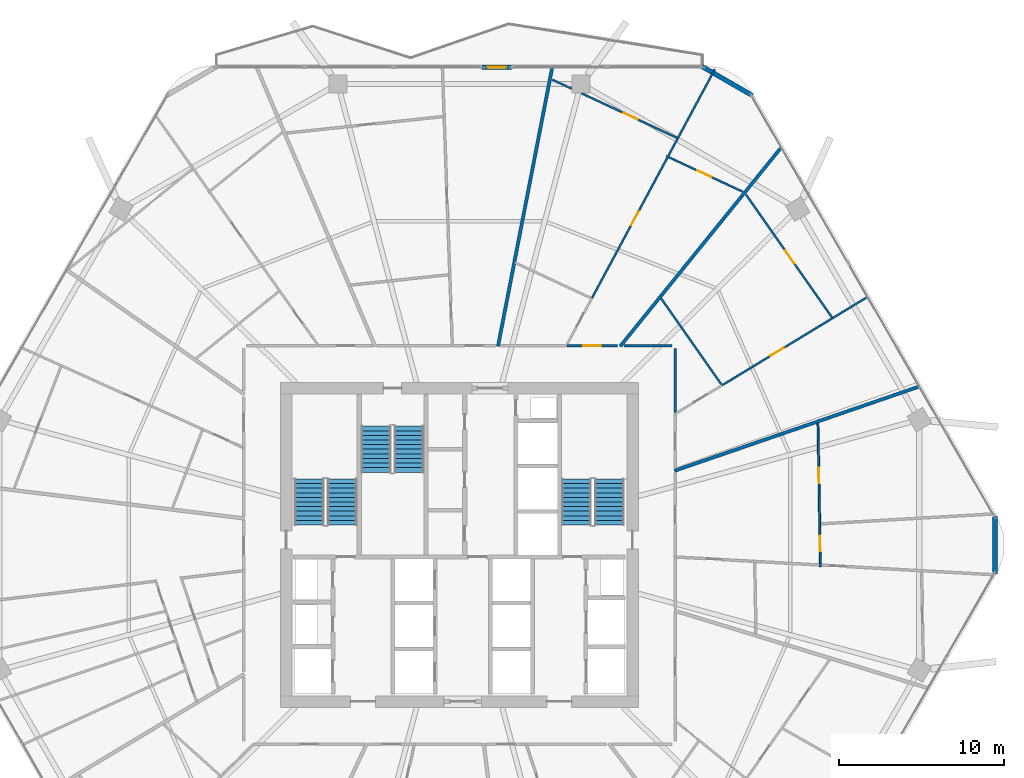
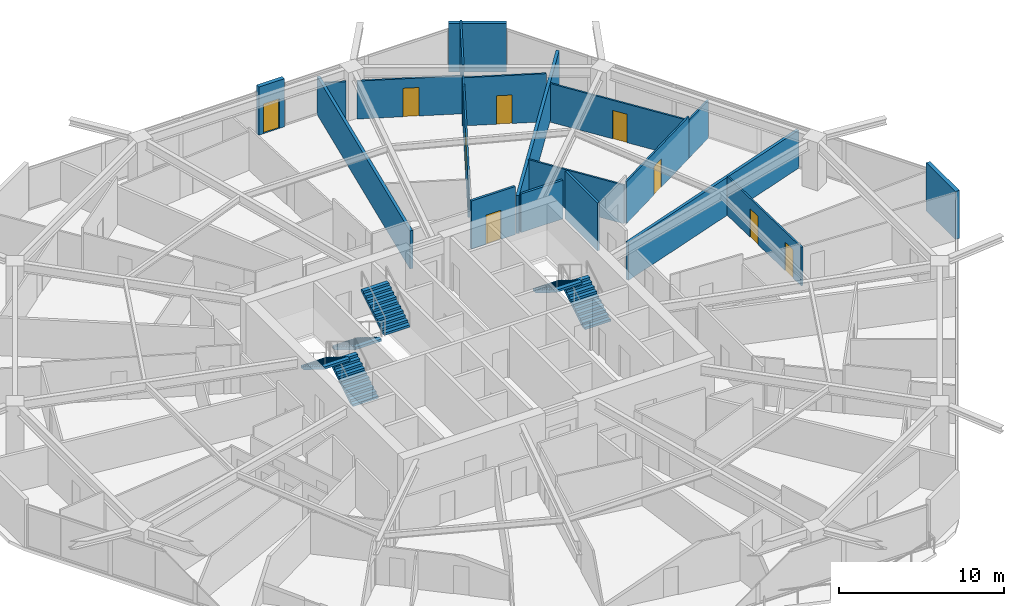
# One storey, part 29 of 33: 20 walls, 9 doors, 6 stair flights, 9 openings, 3 elements without a shape of their own.
"""IFC4 building model written with IfcOpenShell, lengths in metres."""

from ifc_helpers import new_model, si_unit, direction, frame, frame_2d, origin, place, context, subcontext, project, spatial, polyline, rectangle, outline, extrude, material, layer, layer_set, type_object, element, fill, aggregate, save


model = new_model("IFC4")

# Units and contexts
model_context = context("Model", 3, precision=1e-05, world=origin(), true_north=direction((0.0, 1.0)))
body_context = subcontext(model_context, "Body", "Model", "MODEL_VIEW")
ifc_project = project(units=[si_unit("LENGTHUNIT", "METRE"), si_unit("AREAUNIT", "SQUARE_METRE"), si_unit("VOLUMEUNIT", "CUBIC_METRE"), si_unit("PLANEANGLEUNIT", "RADIAN"), si_unit("MASSUNIT", "GRAM", prefix="KILO")], contexts=[model_context])

# Site, building, storey
site_placement = place(None, origin())
site = spatial("IfcSite", under=ifc_project, at=site_placement, CompositionType="ELEMENT")
building_placement = place(site_placement, origin())
building = spatial("IfcBuilding", under=site, at=building_placement, Name="Zuhravey Tower", CompositionType="ELEMENT")
storey_placement = place(building_placement, frame((0.0, 0.0, 103.800048828125)))
storey = spatial("IfcBuildingStorey", under=building, at=storey_placement, Name="L25", CompositionType="ELEMENT", Elevation=103.800048828125)

# Wall, opening, door
ifc_material_1 = material(Name="Gypsum fire-rated stud partition")
ifc_layer_1 = layer(ifc_material_1, 0.159912109375)
ifc_layer_set_1 = layer_set([ifc_layer_1], Name="Gypsum fire-rated stud partition")
wall_type_1 = type_object("IfcWallType", Name="Corridor Fire Partition 160", PredefinedType="PARTITIONING", material=ifc_layer_set_1)
wall_1_placement = place(storey_placement, frame((45.583251953125, 44.080078125, 0.0), z_axis=(0.0, 0.0, 1.0), x_axis=(-1.0, 0.0, 0.0)))
wall_1 = element("IfcWall", 1, at=wall_1_placement, inside=storey, type_object=wall_type_1, Name="L25 IW16 Partition 028", PredefinedType="PARTITIONING", context=body_context, shape_type="SweptSolid", body=[
    extrude(rectangle(XDim=3.072509765625, YDim=0.159912109375, at=frame_2d((1.5361328125, 0.0))), origin(), (0.0, 0.0, 1.0), 3.550048828125),
])
opening_1_placement = place(wall_1_placement, frame((1.01123046875, 0.0, 0.0)))
opening_1 = element("IfcOpeningElement", 2, at=opening_1_placement, cuts=wall_1, Name="Opening APD1", PredefinedType="OPENING", context=body_context, shape_type="SweptSolid", body=[
    extrude(rectangle(XDim=1.050048828125, YDim=2.14990234375, at=frame_2d((0.52490234375, 1.074951171875))), frame((0.0, 0.092041015625, 0.0), z_axis=(0.0, -1.0, 0.0), x_axis=(1.0, 0.0, 0.0)), (0.0, 0.0, 1.0), 0.183837890625),
])
ifc_material_2 = material(Name="Solid-core oak fire-rated leaf")
door_type_1 = type_object("IfcDoorType", Name="Apartment Entrance Fire Door 1050x2150", OperationType="NOTDEFINED", PredefinedType="DOOR", material=ifc_material_2)
door_1_placement = place(opening_1_placement, frame((1.050048828125, 0.0, 0.0), z_axis=(0.0, 0.0, 1.0), x_axis=(-1.0, 0.0, 0.0)))
door_1 = element("IfcDoor", 3, at=door_1_placement, inside=storey, type_object=door_type_1, Name="L25 Door 028.1", OperationType="SINGLE_SWING_LEFT", OverallHeight=2.14990234375, OverallWidth=1.050048828125, PredefinedType="DOOR", context=body_context, shape_type="SweptSolid", body=[
    extrude(rectangle(XDim=1.050048828125, YDim=2.14990234375, at=frame_2d((0.52490234375, 1.074951171875))), frame((0.0, 0.02490234375, 0.0), z_axis=(0.0, -1.0, 0.0), x_axis=(1.0, 0.0, 0.0)), (0.0, 0.0, 1.0), 0.050048828125),
])
fill(opening_1, door_1)

# Walls
wall_2_placement = place(storey_placement, frame((49.080078125, 40.026123046875, 0.0), z_axis=(0.0, 0.0, 1.0), x_axis=(0.0, 1.0, 0.0)))
element("IfcWall", 4, at=wall_2_placement, inside=storey, type_object=wall_type_1, Name="L25 IW16 Partition 137", PredefinedType="PARTITIONING", context=body_context, shape_type="SweptSolid", body=[
    extrude(rectangle(XDim=3.873779296875, YDim=0.159912109375, at=frame_2d((1.93701171875, 0.0))), origin(), (0.0, 0.0, 1.0), 3.550048828125),
])
wall_3_placement = place(storey_placement, frame((48.89990234375, 44.080078125, 0.0), z_axis=(0.0, 0.0, 1.0), x_axis=(-1.0, 0.0, 0.0)))
element("IfcWall", 5, at=wall_3_placement, inside=storey, type_object=wall_type_1, Name="L25 IW16 Partition 138", PredefinedType="PARTITIONING", context=body_context, shape_type="SweptSolid", body=[
    extrude(rectangle(XDim=2.916015625, YDim=0.159912109375, at=frame_2d((1.4580078125, 0.0))), origin(), (0.0, 0.0, 1.0), 2.849853515625),
])

# Wall, opening, door
ifc_material_3 = material(Name="Precast concrete C40/50", Category="concrete")
ifc_layer_2 = layer(ifc_material_3, 0.280029296875)
ifc_layer_set_2 = layer_set([ifc_layer_2], Name="Precast concrete C40/50")
wall_type_2 = type_object("IfcWallType", Name="Crown Architectural Wall 280", PredefinedType="SOLIDWALL", material=ifc_layer_set_2)
wall_4_placement = place(storey_placement, frame((37.381103515625, 60.95849609375, 0.0), z_axis=(0.0, 0.0, 1.0), x_axis=(1.0, 0.0, 0.0)))
wall_4 = element("IfcWall", 6, at=wall_4_placement, inside=storey, type_object=wall_type_2, Name="L25 Face 2 Facade Pier EW28-1", PredefinedType="SOLIDWALL", context=body_context, shape_type="SweptSolid", body=[
    extrude(rectangle(XDim=1.789794921875, YDim=0.280029296875, at=frame_2d((0.89501953125, 0.0))), origin(), (0.0, 0.0, 1.0), 3.550048828125),
])
opening_2_placement = place(wall_4_placement, frame((0.344970703125, 0.0, 0.0)))
opening_2 = element("IfcOpeningElement", 7, at=opening_2_placement, cuts=wall_4, Name="Opening BLD1", PredefinedType="OPENING", context=body_context, shape_type="SweptSolid", body=[
    extrude(rectangle(XDim=1.10009765625, YDim=2.199951171875, at=frame_2d((0.550048828125, 1.10009765625))), frame((0.0, 0.152099609375, 0.0), z_axis=(0.0, -1.0, 0.0), x_axis=(1.0, 0.0, 0.0)), (0.0, 0.0, 1.0), 0.303955078125),
])
ifc_material_4 = material(Name="Thermally broken aluminium and low-E glass", Category="aluminium")
door_type_2 = type_object("IfcDoorType", Name="Balcony & Sky-Tray Glazed Door 1100x2200", OperationType="NOTDEFINED", PredefinedType="DOOR", material=ifc_material_4)
door_2_placement = place(opening_2_placement, frame((1.10009765625, 0.0, 0.0), z_axis=(0.0, 0.0, 1.0), x_axis=(-1.0, 0.0, 0.0)))
door_2 = element("IfcDoor", 8, at=door_2_placement, inside=storey, type_object=door_type_2, Name="L25 Face 2 Wave Balcony Door", OperationType="SINGLE_SWING_RIGHT", OverallHeight=2.199951171875, OverallWidth=1.10009765625, PredefinedType="DOOR", context=body_context, shape_type="SweptSolid", body=[
    extrude(rectangle(XDim=1.10009765625, YDim=2.199951171875, at=frame_2d((0.550048828125, 1.10009765625))), frame((0.0, 0.02490234375, 0.0), z_axis=(0.0, -1.0, 0.0), x_axis=(1.0, 0.0, 0.0)), (0.0, 0.0, 1.0), 0.050048828125),
])
fill(opening_2, door_2)

# Walls
wall_5_placement = place(storey_placement, frame((50.71728515625, 61.006103515625, 0.0), z_axis=(0.0, 0.0, 1.0), x_axis=(0.866007452331, -0.500031091541, 0.0)))
element("IfcWall", 9, at=wall_5_placement, inside=storey, type_object=wall_type_2, Name="L25 Rounded Corner Closure Wall EW28-10", PredefinedType="SOLIDWALL", context=body_context, shape_type="SweptSolid", body=[
    extrude(rectangle(XDim=3.514892578125, YDim=0.280029296875, at=frame_2d((1.75732421875, 0.0))), origin(), (0.0, 0.0, 1.0), 3.550048828125),
])
wall_6_placement = place(storey_placement, frame((68.478515625, 33.757568359375, 0.0), z_axis=(0.0, 0.0, 1.0), x_axis=(0.0, -1.0, 0.0)))
element("IfcWall", 10, at=wall_6_placement, inside=storey, type_object=wall_type_2, Name="L25 Rounded Corner Closure Wall EW28-12", PredefinedType="SOLIDWALL", context=body_context, shape_type="SweptSolid", body=[
    extrude(rectangle(XDim=3.51513671875, YDim=0.280029296875, at=frame_2d((1.757568359375, 0.0))), origin(), (0.0, 0.0, 1.0), 3.550048828125),
])
ifc_material_5 = material(Name="Gypsum double-stud party assembly")
ifc_layer_3 = layer(ifc_material_5, 0.199951171875)
ifc_layer_set_3 = layer_set([ifc_layer_3], Name="Gypsum double-stud party assembly")
wall_type_3 = type_object("IfcWallType", Name="Inter-Tenancy Party Wall 200", PredefinedType="PARTITIONING", material=ifc_layer_set_3)
wall_7_placement = place(storey_placement, frame((49.0400390625, 36.489990234375, 0.0), z_axis=(0.0, 0.0, 1.0), x_axis=(0.945516411569, 0.325574439191, 0.0)))
element("IfcWall", 11, at=wall_7_placement, inside=storey, type_object=wall_type_3, Name="L25 IW20 Partition 084", PredefinedType="PARTITIONING", context=body_context, shape_type="SweptSolid", body=[
    extrude(rectangle(XDim=15.709228515625, YDim=0.199951171875, at=frame_2d((7.8544921875, 0.0))), origin(), (0.0, 0.0, 1.0), 2.800048828125),
])
wall_8_placement = place(storey_placement, frame((45.749755859375, 44.0400390625, 0.0), z_axis=(0.0, 0.0, 1.0), x_axis=(0.629320806321, 0.777145625177, 0.0)))
element("IfcWall", 12, at=wall_8_placement, inside=storey, type_object=wall_type_3, Name="L25 IW20 Partition 088", PredefinedType="PARTITIONING", context=body_context, shape_type="SweptSolid", body=[
    extrude(rectangle(XDim=15.5263671875, YDim=0.199951171875, at=frame_2d((7.76318359375, 0.0))), origin(), (0.0, 0.0, 1.0), 2.800048828125),
])
wall_9_placement = place(storey_placement, frame((38.34033203125, 44.0400390625, 0.0), z_axis=(0.0, 0.0, 1.0), x_axis=(0.190806720502, 0.981627625636, 0.0)))
element("IfcWall", 13, at=wall_9_placement, inside=storey, type_object=wall_type_3, Name="L25 IW20 Partition 093", PredefinedType="PARTITIONING", context=body_context, shape_type="SweptSolid", body=[
    extrude(rectangle(XDim=17.235107421875, YDim=0.199951171875, at=frame_2d((8.61767578125, 0.0))), origin(), (0.0, 0.0, 1.0), 2.800048828125),
])

# Wall, opening, door
ifc_material_6 = material(Name="Gypsum metal-stud partition")
ifc_layer_4 = layer(ifc_material_6, 0.1201171875)
ifc_layer_set_4 = layer_set([ifc_layer_4], Name="Gypsum metal-stud partition")
wall_type_4 = type_object("IfcWallType", Name="Unit Internal Partition 120", PredefinedType="PARTITIONING", material=ifc_layer_set_4)
wall_10_placement = place(storey_placement, frame((51.94384765625, 41.686279296875, 0.0), z_axis=(0.0, 0.0, 1.0), x_axis=(0.854642479396, 0.519216941569, 0.0)))
wall_10 = element("IfcWall", 14, at=wall_10_placement, inside=storey, type_object=wall_type_4, Name="L25 IW12 Partition 020", PredefinedType="PARTITIONING", context=body_context, shape_type="SweptSolid", body=[
    extrude(rectangle(XDim=7.842529296875, YDim=0.1201171875, at=frame_2d((3.92138671875, 0.0))), origin(), (0.0, 0.0, 1.0), 3.099853515625),
])
opening_3_placement = place(wall_10_placement, frame((3.421142578125, 0.0, 0.0)))
opening_3 = element("IfcOpeningElement", 15, at=opening_3_placement, cuts=wall_10, Name="Opening IND1", PredefinedType="OPENING", context=body_context, shape_type="SweptSolid", body=[
    extrude(rectangle(XDim=0.949951171875, YDim=2.10009765625, at=frame_2d((0.47509765625, 1.050048828125))), frame((0.0, 0.072021484375, 0.0), z_axis=(0.0, -1.0, 0.0), x_axis=(1.0, 0.0, 0.0)), (0.0, 0.0, 1.0), 0.14404296875),
])
ifc_material_7 = material(Name="Painted engineered timber leaf", Category="wood")
door_type_3 = type_object("IfcDoorType", Name="Internal Room & Bedroom Door 950x2100", OperationType="NOTDEFINED", PredefinedType="DOOR", material=ifc_material_7)
door_3_placement = place(opening_3_placement, origin())
door_3 = element("IfcDoor", 16, at=door_3_placement, inside=storey, type_object=door_type_3, Name="Apartment L25-01 Home Office Door", OperationType="SINGLE_SWING_RIGHT", OverallHeight=2.10009765625, OverallWidth=0.949951171875, PredefinedType="DOOR", context=body_context, shape_type="SweptSolid", body=[
    extrude(rectangle(XDim=0.949951171875, YDim=2.10009765625, at=frame_2d((0.47509765625, 1.050048828125))), frame((0.0, 0.02490234375, 0.0), z_axis=(0.0, -1.0, 0.0), x_axis=(1.0, 0.0, 0.0)), (0.0, 0.0, 1.0), 0.050048828125),
])
fill(opening_3, door_3)

wall_11_placement = place(storey_placement, frame((58.5859375, 45.80126953125, 0.0), z_axis=(0.0, 0.0, 1.0), x_axis=(-0.573574227098, 0.81915359122, 0.0)))
wall_11 = element("IfcWall", 17, at=wall_11_placement, inside=storey, type_object=wall_type_4, Name="L25 IW12 Partition 021", PredefinedType="PARTITIONING", context=body_context, shape_type="SweptSolid", body=[
    extrude(rectangle(XDim=9.07958984375, YDim=0.1201171875, at=frame_2d((4.539794921875, 0.0))), origin(), (0.0, 0.0, 1.0), 2.849853515625),
])
opening_4_placement = place(wall_11_placement, frame((3.98046875, 0.0, 0.0)))
opening_4 = element("IfcOpeningElement", 18, at=opening_4_placement, cuts=wall_11, Name="Opening IND1", PredefinedType="OPENING", context=body_context, shape_type="SweptSolid", body=[
    extrude(rectangle(XDim=0.949951171875, YDim=2.10009765625, at=frame_2d((0.47509765625, 1.050048828125))), frame((0.0, 0.072021484375, 0.0), z_axis=(0.0, -1.0, 0.0), x_axis=(1.0, 0.0, 0.0)), (0.0, 0.0, 1.0), 0.14404296875),
])
door_4_placement = place(opening_4_placement, frame((0.949951171875, 0.0, 0.0), z_axis=(0.0, 0.0, 1.0), x_axis=(-1.0, 0.0, 0.0)))
door_4 = element("IfcDoor", 19, at=door_4_placement, inside=storey, type_object=door_type_3, Name="Apartment L25-01 Bedroom 1 Door", OperationType="SINGLE_SWING_LEFT", OverallHeight=2.10009765625, OverallWidth=0.949951171875, PredefinedType="DOOR", context=body_context, shape_type="SweptSolid", body=[
    extrude(rectangle(XDim=0.949951171875, YDim=2.10009765625, at=frame_2d((0.47509765625, 1.050048828125))), frame((0.0, 0.02490234375, 0.0), z_axis=(0.0, -1.0, 0.0), x_axis=(1.0, 0.0, 0.0)), (0.0, 0.0, 1.0), 0.050048828125),
])
fill(opening_4, door_4)

wall_12_placement = place(storey_placement, frame((53.166259765625, 53.42041015625, 0.0), z_axis=(0.0, 0.0, 1.0), x_axis=(-0.906301834907, 0.422631025889, 0.0)))
wall_12 = element("IfcWall", 20, at=wall_12_placement, inside=storey, type_object=wall_type_4, Name="L25 IW12 Partition 023", PredefinedType="PARTITIONING", context=body_context, shape_type="SweptSolid", body=[
    extrude(rectangle(XDim=5.095703125, YDim=0.1201171875, at=frame_2d((2.5478515625, 0.0))), origin(), (0.0, 0.0, 1.0), 3.550048828125),
])
opening_5_placement = place(wall_12_placement, frame((2.072998046875, 0.0, 0.0)))
opening_5 = element("IfcOpeningElement", 21, at=opening_5_placement, cuts=wall_12, Name="Opening IND1", PredefinedType="OPENING", context=body_context, shape_type="SweptSolid", body=[
    extrude(rectangle(XDim=0.949951171875, YDim=2.10009765625, at=frame_2d((0.47509765625, 1.050048828125))), frame((0.0, 0.072021484375, 0.0), z_axis=(0.0, -1.0, 0.0), x_axis=(1.0, 0.0, 0.0)), (0.0, 0.0, 1.0), 0.14404296875),
])
door_5_placement = place(opening_5_placement, frame((0.949951171875, 0.0, 0.0), z_axis=(0.0, 0.0, 1.0), x_axis=(-1.0, 0.0, 0.0)))
door_5 = element("IfcDoor", 22, at=door_5_placement, inside=storey, type_object=door_type_3, Name="Apartment L25-02 Family Study Door", OperationType="SINGLE_SWING_LEFT", OverallHeight=2.10009765625, OverallWidth=0.949951171875, PredefinedType="DOOR", context=body_context, shape_type="SweptSolid", body=[
    extrude(rectangle(XDim=0.949951171875, YDim=2.10009765625, at=frame_2d((0.47509765625, 1.050048828125))), frame((0.0, 0.02490234375, 0.0), z_axis=(0.0, -1.0, 0.0), x_axis=(1.0, 0.0, 0.0)), (0.0, 0.0, 1.0), 0.050048828125),
])
fill(opening_5, door_5)

wall_13_placement = place(storey_placement, frame((44.03759765625, 46.964599609375, 0.0), z_axis=(0.0, 0.0, 1.0), x_axis=(0.473145171057, 0.880984476086, 0.0)))
wall_13 = element("IfcWall", 23, at=wall_13_placement, inside=storey, type_object=wall_type_4, Name="L25 IW12 Partition 025", PredefinedType="PARTITIONING", context=body_context, shape_type="SweptSolid", body=[
    extrude(rectangle(XDim=9.65625, YDim=0.1201171875, at=frame_2d((4.828125, 0.0))), origin(), (0.0, 0.0, 1.0), 3.099853515625),
])
opening_6_placement = place(wall_13_placement, frame((5.014404296875, 0.0, 0.0)))
opening_6 = element("IfcOpeningElement", 24, at=opening_6_placement, cuts=wall_13, Name="Opening IND1", PredefinedType="OPENING", context=body_context, shape_type="SweptSolid", body=[
    extrude(rectangle(XDim=0.949951171875, YDim=2.10009765625, at=frame_2d((0.47509765625, 1.050048828125))), frame((0.0, 0.072021484375, 0.0), z_axis=(0.0, -1.0, 0.0), x_axis=(1.0, 0.0, 0.0)), (0.0, 0.0, 1.0), 0.14404296875),
])
door_6_placement = place(opening_6_placement, origin())
door_6 = element("IfcDoor", 25, at=door_6_placement, inside=storey, type_object=door_type_3, Name="Apartment L25-02 Home Office Door", OperationType="SINGLE_SWING_LEFT", OverallHeight=2.10009765625, OverallWidth=0.949951171875, PredefinedType="DOOR", context=body_context, shape_type="SweptSolid", body=[
    extrude(rectangle(XDim=0.949951171875, YDim=2.10009765625, at=frame_2d((0.47509765625, 1.050048828125))), frame((0.0, 0.02490234375, 0.0), z_axis=(0.0, -1.0, 0.0), x_axis=(1.0, 0.0, 0.0)), (0.0, 0.0, 1.0), 0.050048828125),
])
fill(opening_6, door_6)

# Wall
wall_14_placement = place(storey_placement, frame((48.6708984375, 55.591796875, 0.0), z_axis=(0.0, 0.0, 1.0), x_axis=(0.473251547015, 0.880927337099, 0.0)))
element("IfcWall", 26, at=wall_14_placement, inside=storey, type_object=wall_type_4, Name="L25 IW12 Partition 026", PredefinedType="PARTITIONING", context=body_context, shape_type="SweptSolid", body=[
    extrude(rectangle(XDim=1.236083984375, YDim=0.1201171875, at=frame_2d((0.6181640625, 0.0))), origin(), (0.0, 0.0, 1.0), 2.800048828125),
])

# Wall, opening, door
wall_15_placement = place(storey_placement, frame((49.18212890625, 56.687255859375, 0.0), z_axis=(0.0, 0.0, 1.0), x_axis=(-0.906301625288, 0.422631475402, 0.0)))
wall_15 = element("IfcWall", 27, at=wall_15_placement, inside=storey, type_object=wall_type_4, Name="L25 IW12 Partition 027", PredefinedType="PARTITIONING", context=body_context, shape_type="SweptSolid", body=[
    extrude(rectangle(XDim=6.36767578125, YDim=0.1201171875, at=frame_2d((3.183837890625, 0.0))), origin(), (0.0, 0.0, 1.0), 2.800048828125),
])
opening_7_placement = place(wall_15_placement, frame((2.624755859375, 0.0, 0.0)))
opening_7 = element("IfcOpeningElement", 28, at=opening_7_placement, cuts=wall_15, Name="Opening IND1", PredefinedType="OPENING", context=body_context, shape_type="SweptSolid", body=[
    extrude(rectangle(XDim=0.949951171875, YDim=2.10009765625, at=frame_2d((0.47509765625, 1.050048828125))), frame((0.0, 0.072021484375, 0.0), z_axis=(0.0, -1.0, 0.0), x_axis=(1.0, 0.0, 0.0)), (0.0, 0.0, 1.0), 0.14404296875),
])
door_7_placement = place(opening_7_placement, frame((0.949951171875, 0.0, 0.0), z_axis=(0.0, 0.0, 1.0), x_axis=(-1.0, 0.0, 0.0)))
door_7 = element("IfcDoor", 29, at=door_7_placement, inside=storey, type_object=door_type_3, Name="Apartment L25-02 Kitchen Door", OperationType="SINGLE_SWING_RIGHT", OverallHeight=2.10009765625, OverallWidth=0.949951171875, PredefinedType="DOOR", context=body_context, shape_type="SweptSolid", body=[
    extrude(rectangle(XDim=0.949951171875, YDim=2.10009765625, at=frame_2d((0.47509765625, 1.050048828125))), frame((0.0, 0.02490234375, 0.0), z_axis=(0.0, -1.0, 0.0), x_axis=(1.0, 0.0, 0.0)), (0.0, 0.0, 1.0), 0.050048828125),
])
fill(opening_7, door_7)

# Wall, openings, doors
wall_16_placement = place(storey_placement, frame((57.892578125, 30.67578125, 0.0), z_axis=(0.0, 0.0, 1.0), x_axis=(-0.017472298046, 0.999847347749, 0.0)))
wall_16 = element("IfcWall", 30, at=wall_16_placement, inside=storey, type_object=wall_type_4, Name="L25 IW12 Partition 069", PredefinedType="PARTITIONING", context=body_context, shape_type="SweptSolid", body=[
    extrude(rectangle(XDim=8.705078125, YDim=0.1201171875, at=frame_2d((4.3525390625, 0.0))), origin(), (0.0, 0.0, 1.0), 2.849853515625),
])
opening_8_placement = place(wall_16_placement, frame((0.941162109375, 0.0, 0.0)))
opening_8 = element("IfcOpeningElement", 31, at=opening_8_placement, cuts=wall_16, Name="Opening IND1", PredefinedType="OPENING", context=body_context, shape_type="SweptSolid", body=[
    extrude(rectangle(XDim=0.949951171875, YDim=2.10009765625, at=frame_2d((0.47509765625, 1.050048828125))), frame((0.0, 0.072021484375, 0.0), z_axis=(0.0, -1.0, 0.0), x_axis=(1.0, 0.0, 0.0)), (0.0, 0.0, 1.0), 0.14404296875),
])
opening_9_placement = place(wall_16_placement, frame((5.0537109375, 0.0, 0.0)))
opening_9 = element("IfcOpeningElement", 32, at=opening_9_placement, cuts=wall_16, Name="Opening IND1", PredefinedType="OPENING", context=body_context, shape_type="SweptSolid", body=[
    extrude(rectangle(XDim=0.949951171875, YDim=2.10009765625, at=frame_2d((0.47509765625, 1.050048828125))), frame((0.0, 0.072021484375, 0.0), z_axis=(0.0, -1.0, 0.0), x_axis=(1.0, 0.0, 0.0)), (0.0, 0.0, 1.0), 0.14404296875),
])
door_8_placement = place(opening_8_placement, frame((0.949951171875, 0.0, 0.0), z_axis=(0.0, 0.0, 1.0), x_axis=(-1.0, 0.0, 0.0)))
door_8 = element("IfcDoor", 33, at=door_8_placement, inside=storey, type_object=door_type_3, Name="Apartment L25-11 Family Study Door", OperationType="SINGLE_SWING_RIGHT", OverallHeight=2.10009765625, OverallWidth=0.949951171875, PredefinedType="DOOR", context=body_context, shape_type="SweptSolid", body=[
    extrude(rectangle(XDim=0.949951171875, YDim=2.10009765625, at=frame_2d((0.47509765625, 1.050048828125))), frame((0.0, 0.02490234375, 0.0), z_axis=(0.0, -1.0, 0.0), x_axis=(1.0, 0.0, 0.0)), (0.0, 0.0, 1.0), 0.050048828125),
])
fill(opening_8, door_8)
door_9_placement = place(opening_9_placement, frame((0.949951171875, 0.0, 0.0), z_axis=(0.0, 0.0, 1.0), x_axis=(-1.0, 0.0, 0.0)))
door_9 = element("IfcDoor", 34, at=door_9_placement, inside=storey, type_object=door_type_3, Name="Apartment L25-11 Dining Room Door", OperationType="SINGLE_SWING_LEFT", OverallHeight=2.10009765625, OverallWidth=0.949951171875, PredefinedType="DOOR", context=body_context, shape_type="SweptSolid", body=[
    extrude(rectangle(XDim=0.949951171875, YDim=2.10009765625, at=frame_2d((0.47509765625, 1.050048828125))), frame((0.0, 0.02490234375, 0.0), z_axis=(0.0, -1.0, 0.0), x_axis=(1.0, 0.0, 0.0)), (0.0, 0.0, 1.0), 0.050048828125),
])
fill(opening_9, door_9)

# Walls
wall_17_placement = place(storey_placement, frame((58.646484375, 45.75830078125, 0.0), z_axis=(0.0, 0.0, 1.0), x_axis=(0.854604427489, 0.519279570672, 0.0)))
element("IfcWall", 35, at=wall_17_placement, inside=storey, type_object=wall_type_4, Name="L25 IW12 Partition 086", PredefinedType="PARTITIONING", context=body_context, shape_type="SweptSolid", body=[
    extrude(rectangle(XDim=2.472412109375, YDim=0.1201171875, at=frame_2d((1.236328125, 0.0))), origin(), (0.0, 0.0, 1.0), 2.800048828125),
])
wall_18_placement = place(storey_placement, frame((51.883544921875, 41.729248046875, 0.0), z_axis=(0.0, 0.0, 1.0), x_axis=(-0.573595462393, 0.819138721782, 0.0)))
element("IfcWall", 36, at=wall_18_placement, inside=storey, type_object=wall_type_4, Name="L25 IW12 Partition 087", PredefinedType="PARTITIONING", context=body_context, shape_type="SweptSolid", body=[
    extrude(rectangle(XDim=6.400146484375, YDim=0.1201171875, at=frame_2d((3.2001953125, 0.0))), origin(), (0.0, 0.0, 1.0), 2.849853515625),
])
wall_19_placement = place(storey_placement, frame((49.255859375, 56.6806640625, 0.0), z_axis=(0.0, 0.0, 1.0), x_axis=(0.473160047709, 0.880976486209, 0.0)))
element("IfcWall", 37, at=wall_19_placement, inside=storey, type_object=wall_type_4, Name="L25 IW12 Partition 090", PredefinedType="PARTITIONING", context=body_context, shape_type="SweptSolid", body=[
    extrude(rectangle(XDim=4.726318359375, YDim=0.1201171875, at=frame_2d((2.36328125, 0.0))), origin(), (0.0, 0.0, 1.0), 3.550048828125),
])
wall_20_placement = place(storey_placement, frame((42.800048828125, 59.66357421875, 0.0), z_axis=(0.0, 0.0, 1.0), x_axis=(-0.906338544202, 0.42255229652, 0.0)))
element("IfcWall", 38, at=wall_20_placement, inside=storey, type_object=wall_type_4, Name="L25 IW12 Partition 092", PredefinedType="PARTITIONING", context=body_context, shape_type="SweptSolid", body=[
    extrude(rectangle(XDim=1.283935546875, YDim=0.1201171875, at=frame_2d((0.64208984375, 0.0))), origin(), (0.0, 0.0, 1.0), 2.800048828125),
])

# Stair, stair flights
ifc_material_8 = material(Name="Concrete C40/50", Category="concrete")
stair_type = type_object("IfcStairType", Name="Housing Storey Stair Assembly 3800", PredefinedType="HALF_TURN_STAIR", material=ifc_material_8)
stair_1_placement = place(storey_placement, origin())
stair_1 = element("IfcStair", 39, at=stair_1_placement, inside=storey, type_object=stair_type, Name="L25 Core Exit Stair ST1", PredefinedType="HALF_TURN_STAIR")
stair_flight_type = type_object("IfcStairFlightType", Name="Housing Storey Stair Flight 3800", PredefinedType="STRAIGHT", material=ifc_material_8)
stair_flight_1_placement = place(storey_placement, frame((28.89990234375, 33.199951171875, 0.0), z_axis=(0.0, 0.0, 1.0), x_axis=(0.0, 1.0, 0.0)))
stair_flight_1 = element("IfcStairFlight", 40, at=stair_flight_1_placement, type_object=stair_flight_type, Name="ST1 flight 1", NumberOfRisers=11, NumberOfTreads=10, PredefinedType="STRAIGHT", RiserHeight=0.172727273, TreadLength=0.28, context=body_context, shape_type="SweptSolid", body=[
    extrude(outline(polyline([(0.0, 0.0), (0.0, 0.172607421875), (0.280029296875, 0.172607421875), (0.280029296875, 0.345458984375), (0.56005859375, 0.345458984375), (0.56005859375, 0.51806640625), (0.840087890625, 0.51806640625), (0.840087890625, 0.69091796875), (1.1201171875, 0.69091796875), (1.1201171875, 0.863525390625), (1.39990234375, 0.863525390625), (1.39990234375, 1.036376953125), (1.679931640625, 1.036376953125), (1.679931640625, 1.208984375), (1.9599609375, 1.208984375), (1.9599609375, 1.3818359375), (2.239990234375, 1.3818359375), (2.239990234375, 1.554443359375), (2.52001953125, 1.554443359375), (2.52001953125, 1.727294921875), (2.800048828125, 1.727294921875), (2.800048828125, 1.89990234375), (2.800048828125, 1.551025390625), (0.285400390625, 0.0), (0.0, 0.0)])), frame((0.0, 0.89990234375, 0.0), z_axis=(0.0, -1.0, 0.0), x_axis=(1.0, 0.0, 0.0)), (0.0, 0.0, 1.0), 1.800048828125),
])
stair_flight_2_placement = place(storey_placement, frame((26.89990234375, 36.0, 1.89990234375), z_axis=(0.0, 0.0, 1.0), x_axis=(0.0, -1.0, 0.0)))
stair_flight_2 = element("IfcStairFlight", 41, at=stair_flight_2_placement, type_object=stair_flight_type, Name="ST1 flight 2", NumberOfRisers=11, NumberOfTreads=10, PredefinedType="STRAIGHT", RiserHeight=0.172727273, TreadLength=0.28, context=body_context, shape_type="SweptSolid", body=[
    extrude(outline(polyline([(0.0, 0.0), (0.0, 0.172607421875), (0.280029296875, 0.172607421875), (0.280029296875, 0.345458984375), (0.56005859375, 0.345458984375), (0.56005859375, 0.51806640625), (0.840087890625, 0.51806640625), (0.840087890625, 0.69091796875), (1.1201171875, 0.69091796875), (1.1201171875, 0.863525390625), (1.39990234375, 0.863525390625), (1.39990234375, 1.036376953125), (1.679931640625, 1.036376953125), (1.679931640625, 1.208984375), (1.9599609375, 1.208984375), (1.9599609375, 1.3818359375), (2.239990234375, 1.3818359375), (2.239990234375, 1.554443359375), (2.52001953125, 1.554443359375), (2.52001953125, 1.727294921875), (2.800048828125, 1.727294921875), (2.800048828125, 1.89990234375), (2.800048828125, 1.551025390625), (0.285400390625, 0.0), (0.0, 0.0)])), frame((0.0, 0.89990234375, 0.0), z_axis=(0.0, -1.0, 0.0), x_axis=(1.0, 0.0, 0.0)), (0.0, 0.0, 1.0), 1.800048828125),
])
aggregate(stair_1, [stair_flight_1, stair_flight_2])

stair_2_placement = place(storey_placement, origin())
stair_2 = element("IfcStair", 42, at=stair_2_placement, inside=storey, type_object=stair_type, Name="L25 Core Exit Stair ST2", PredefinedType="HALF_TURN_STAIR")
stair_flight_3_placement = place(storey_placement, frame((45.10009765625, 33.199951171875, 0.0), z_axis=(0.0, 0.0, 1.0), x_axis=(0.0, 1.0, 0.0)))
stair_flight_3 = element("IfcStairFlight", 43, at=stair_flight_3_placement, type_object=stair_flight_type, Name="ST2 flight 1", NumberOfRisers=11, NumberOfTreads=10, PredefinedType="STRAIGHT", RiserHeight=0.172727273, TreadLength=0.28, context=body_context, shape_type="SweptSolid", body=[
    extrude(outline(polyline([(0.0, 0.0), (0.0, 0.172607421875), (0.280029296875, 0.172607421875), (0.280029296875, 0.345458984375), (0.56005859375, 0.345458984375), (0.56005859375, 0.51806640625), (0.840087890625, 0.51806640625), (0.840087890625, 0.69091796875), (1.1201171875, 0.69091796875), (1.1201171875, 0.863525390625), (1.39990234375, 0.863525390625), (1.39990234375, 1.036376953125), (1.679931640625, 1.036376953125), (1.679931640625, 1.208984375), (1.9599609375, 1.208984375), (1.9599609375, 1.3818359375), (2.239990234375, 1.3818359375), (2.239990234375, 1.554443359375), (2.52001953125, 1.554443359375), (2.52001953125, 1.727294921875), (2.800048828125, 1.727294921875), (2.800048828125, 1.89990234375), (2.800048828125, 1.551025390625), (0.285400390625, 0.0), (0.0, 0.0)])), frame((0.0, 0.89990234375, 0.0), z_axis=(0.0, -1.0, 0.0), x_axis=(1.0, 0.0, 0.0)), (0.0, 0.0, 1.0), 1.800048828125),
])
stair_flight_4_placement = place(storey_placement, frame((43.10009765625, 36.0, 1.89990234375), z_axis=(0.0, 0.0, 1.0), x_axis=(0.0, -1.0, 0.0)))
stair_flight_4 = element("IfcStairFlight", 44, at=stair_flight_4_placement, type_object=stair_flight_type, Name="ST2 flight 2", NumberOfRisers=11, NumberOfTreads=10, PredefinedType="STRAIGHT", RiserHeight=0.172727273, TreadLength=0.28, context=body_context, shape_type="SweptSolid", body=[
    extrude(outline(polyline([(0.0, 0.0), (0.0, 0.172607421875), (0.280029296875, 0.172607421875), (0.280029296875, 0.345458984375), (0.56005859375, 0.345458984375), (0.56005859375, 0.51806640625), (0.840087890625, 0.51806640625), (0.840087890625, 0.69091796875), (1.1201171875, 0.69091796875), (1.1201171875, 0.863525390625), (1.39990234375, 0.863525390625), (1.39990234375, 1.036376953125), (1.679931640625, 1.036376953125), (1.679931640625, 1.208984375), (1.9599609375, 1.208984375), (1.9599609375, 1.3818359375), (2.239990234375, 1.3818359375), (2.239990234375, 1.554443359375), (2.52001953125, 1.554443359375), (2.52001953125, 1.727294921875), (2.800048828125, 1.727294921875), (2.800048828125, 1.89990234375), (2.800048828125, 1.551025390625), (0.285400390625, 0.0), (0.0, 0.0)])), frame((0.0, 0.89990234375, 0.0), z_axis=(0.0, -1.0, 0.0), x_axis=(1.0, 0.0, 0.0)), (0.0, 0.0, 1.0), 1.800048828125),
])
aggregate(stair_2, [stair_flight_3, stair_flight_4])

stair_3_placement = place(storey_placement, origin())
stair_3 = element("IfcStair", 45, at=stair_3_placement, inside=storey, type_object=stair_type, Name="L25 Core Exit Stair ST3", PredefinedType="HALF_TURN_STAIR")
stair_flight_5_placement = place(storey_placement, frame((30.949951171875, 39.199951171875, 0.0), z_axis=(0.0, 0.0, 1.0), x_axis=(0.0, -1.0, 0.0)))
stair_flight_5 = element("IfcStairFlight", 46, at=stair_flight_5_placement, type_object=stair_flight_type, Name="ST3 flight 1", NumberOfRisers=11, NumberOfTreads=10, PredefinedType="STRAIGHT", RiserHeight=0.172727273, TreadLength=0.28, context=body_context, shape_type="SweptSolid", body=[
    extrude(outline(polyline([(0.0, 0.0), (0.0, 0.172607421875), (0.280029296875, 0.172607421875), (0.280029296875, 0.345458984375), (0.56005859375, 0.345458984375), (0.56005859375, 0.51806640625), (0.840087890625, 0.51806640625), (0.840087890625, 0.69091796875), (1.1201171875, 0.69091796875), (1.1201171875, 0.863525390625), (1.39990234375, 0.863525390625), (1.39990234375, 1.036376953125), (1.679931640625, 1.036376953125), (1.679931640625, 1.208984375), (1.9599609375, 1.208984375), (1.9599609375, 1.3818359375), (2.239990234375, 1.3818359375), (2.239990234375, 1.554443359375), (2.52001953125, 1.554443359375), (2.52001953125, 1.727294921875), (2.800048828125, 1.727294921875), (2.800048828125, 1.89990234375), (2.800048828125, 1.551025390625), (0.285400390625, 0.0), (0.0, 0.0)])), frame((0.0, 0.89990234375, 0.0), z_axis=(0.0, -1.0, 0.0), x_axis=(1.0, 0.0, 0.0)), (0.0, 0.0, 1.0), 1.800048828125),
])
stair_flight_6_placement = place(storey_placement, frame((32.949951171875, 36.39990234375, 1.89990234375), z_axis=(0.0, 0.0, 1.0), x_axis=(0.0, 1.0, 0.0)))
stair_flight_6 = element("IfcStairFlight", 47, at=stair_flight_6_placement, type_object=stair_flight_type, Name="ST3 flight 2", NumberOfRisers=11, NumberOfTreads=10, PredefinedType="STRAIGHT", RiserHeight=0.172727273, TreadLength=0.28, context=body_context, shape_type="SweptSolid", body=[
    extrude(outline(polyline([(0.0, 0.0), (0.0, 0.172607421875), (0.280029296875, 0.172607421875), (0.280029296875, 0.345458984375), (0.56005859375, 0.345458984375), (0.56005859375, 0.51806640625), (0.840087890625, 0.51806640625), (0.840087890625, 0.69091796875), (1.1201171875, 0.69091796875), (1.1201171875, 0.863525390625), (1.39990234375, 0.863525390625), (1.39990234375, 1.036376953125), (1.679931640625, 1.036376953125), (1.679931640625, 1.208984375), (1.9599609375, 1.208984375), (1.9599609375, 1.3818359375), (2.239990234375, 1.3818359375), (2.239990234375, 1.554443359375), (2.52001953125, 1.554443359375), (2.52001953125, 1.727294921875), (2.800048828125, 1.727294921875), (2.800048828125, 1.89990234375), (2.800048828125, 1.551025390625), (0.285400390625, 0.0), (0.0, 0.0)])), frame((0.0, 0.89990234375, 0.0), z_axis=(0.0, -1.0, 0.0), x_axis=(1.0, 0.0, 0.0)), (0.0, 0.0, 1.0), 1.800048828125),
])
aggregate(stair_3, [stair_flight_5, stair_flight_6])

save(model, "model.ifc")
